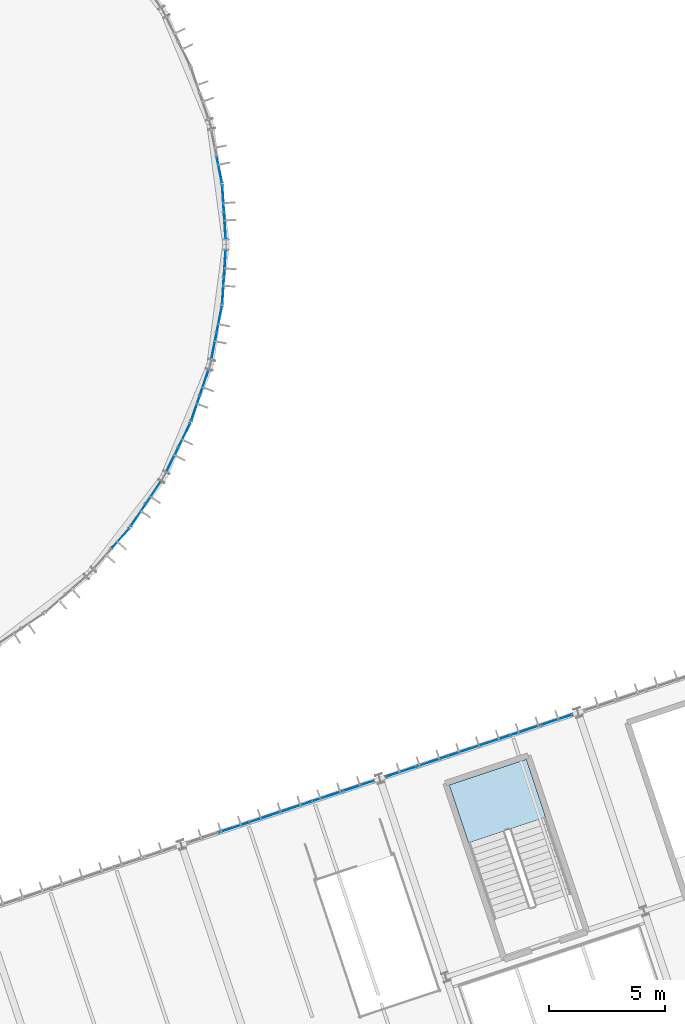
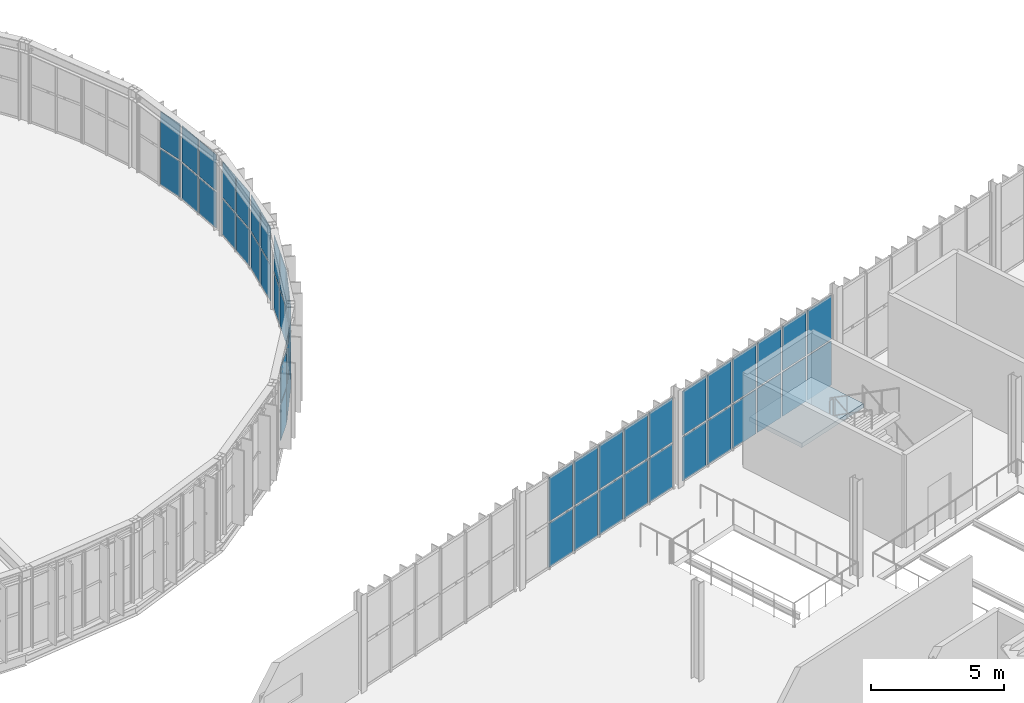
# One storey, part 108 of 152: 50 plates, 1 slab, 11 elements without a shape of their own.
"""IFC4 building model written with IfcOpenShell, lengths in metres."""

from ifc_helpers import new_model, si_unit, derived_unit, direction, frame, origin, origin_2d, place, context, subcontext, project, spatial, polyline, rectangle, outline, extrude, material, layer, layer_set, type_object, element, aggregate, save


model = new_model("IFC4")

# Units and contexts
model_context = context("Model", 3, precision=1e-05, world=origin(), true_north=direction((0.0, 1.0)))
body_context = subcontext(model_context, "Body", "Model", "MODEL_VIEW")
ifc_project = project(units=[si_unit("LENGTHUNIT", "METRE"), si_unit("AREAUNIT", "SQUARE_METRE"), si_unit("VOLUMEUNIT", "CUBIC_METRE"), si_unit("PLANEANGLEUNIT", "RADIAN"), si_unit("MASSUNIT", "GRAM", prefix="KILO"), si_unit("THERMODYNAMICTEMPERATUREUNIT", "KELVIN"), si_unit("TIMEUNIT", "SECOND"), derived_unit("THERMALTRANSMITTANCEUNIT", [(si_unit("MASSUNIT", "GRAM", prefix="KILO"), 1), (si_unit("THERMODYNAMICTEMPERATUREUNIT", "KELVIN"), -1), (si_unit("TIMEUNIT", "SECOND"), -3)])], contexts=[model_context])

# Site, building, storey
site_placement = place(None, origin())
site = spatial("IfcSite", under=ifc_project, at=site_placement, CompositionType="ELEMENT")
building_placement = place(site_placement, origin())
building = spatial("IfcBuilding", under=site, at=building_placement, Name="Cambertide Market Hall", CompositionType="ELEMENT")
storey_placement = place(building_placement, frame((0.0, 0.0, 5.39990234375)))
storey = spatial("IfcBuildingStorey", under=building, at=storey_placement, Name="L02", CompositionType="ELEMENT", Elevation=5.39990234375)

# Stair, slab
ifc_material_1 = material(Name="Concrete B35", Category="concrete")
stair_type = type_object("IfcStairType", Name="Concrete Dogleg Stair ST-06B", PredefinedType="HALF_TURN_STAIR", material=ifc_material_1)
stair_placement = place(storey_placement, origin())
stair = element("IfcStair", 1, at=stair_placement, inside=storey, type_object=stair_type, Name="Level 2 Exit Stair Core 06B", PredefinedType="HALF_TURN_STAIR")
ifc_material_2 = material(Name="Concrete B35", Category="concrete")
ifc_layer_1 = layer(ifc_material_2, 0.199951171875, Name="Concrete Stair Half-Landing 200")
ifc_layer_set_1 = layer_set([ifc_layer_1], Name="Concrete B35")
slab_type = type_object("IfcSlabType", Name="Concrete Stair Half-Landing 200", PredefinedType="LANDING", material=ifc_layer_set_1)
slab_placement = place(storey_placement, frame((0.0, 0.0, 2.050048828125)))
slab = element("IfcSlab", 2, at=slab_placement, type_object=slab_type, Name="ST-06B landing 1", PredefinedType="LANDING", context=body_context, shape_type="SweptSolid", body=[
    extrude(outline(polyline([(138.7529296875, 47.347412109375), (137.923095703125, 49.836669921875), (134.602783203125, 48.729736328125), (135.4326171875, 46.240478515625), (138.7529296875, 47.347412109375)])), origin(), (0.0, 0.0, 1.0), 0.199951171875),
])
aggregate(stair, [slab])

# Curtain wall, plates
ifc_material_3 = material(Name="Marine Anodized Aluminium 6063-T6 AA25", Category="aluminium")
curtain_wall_type_1 = type_object("IfcCurtainWallType", Name="Lantern Apse Chord Upper Curtain Wall", PredefinedType="USERDEFINED", material=ifc_material_3)
curtain_wall_1_placement = place(storey_placement, origin())
curtain_wall_1 = element("IfcCurtainWall", 3, at=curtain_wall_1_placement, inside=storey, type_object=curtain_wall_type_1, Name="Level 2 Curtain Wall CW-V1AE-L02-07", ObjectType="UNITIZED CURTAIN WALL", PredefinedType="USERDEFINED")
ifc_material_4 = material(Name="Low-E Laminated Insulated Glass", Category="glass")
ifc_layer_2 = layer(ifc_material_4, 0.028076171875, Name="Vision Insulated Glazing Panel 28")
ifc_layer_set_2 = layer_set([ifc_layer_2], Name="Low-E Laminated Insulated Glass")
plate_type = type_object("IfcPlateType", Name="Vision Insulated Glazing Panel 28", PredefinedType="CURTAIN_PANEL", material=ifc_layer_set_2)
plate_1_placement = place(storey_placement, frame((120.462158203125, 59.363037109375, 0.0400390625), z_axis=(0.0, 0.0, 1.0), x_axis=(-0.659345784014, -0.751839834741, 0.0)))
plate_1 = element("IfcPlate", 4, at=plate_1_placement, type_object=plate_type, Name="CW-V1AE-L02-07 Glazing Panel 1-1", PredefinedType="CURTAIN_PANEL", context=body_context, shape_type="SweptSolid", body=[
    extrude(rectangle(XDim=1.108154296875, YDim=0.028076171875, at=origin_2d()), origin(), (0.0, 0.0, 1.0), 1.64501953125),
])
plate_2_placement = place(storey_placement, frame((120.462158203125, 59.363037109375, 1.76513671875), z_axis=(0.0, 0.0, 1.0), x_axis=(-0.659345784014, -0.751839834741, 0.0)))
plate_2 = element("IfcPlate", 5, at=plate_2_placement, type_object=plate_type, Name="CW-V1AE-L02-07 Glazing Panel 2-1", PredefinedType="CURTAIN_PANEL", context=body_context, shape_type="SweptSolid", body=[
    extrude(rectangle(XDim=1.108154296875, YDim=0.028076171875, at=origin_2d()), origin(), (0.0, 0.0, 1.0), 1.64501953125),
])
aggregate(curtain_wall_1, [plate_1, plate_2])

curtain_wall_2_placement = place(storey_placement, origin())
curtain_wall_2 = element("IfcCurtainWall", 6, at=curtain_wall_2_placement, inside=storey, type_object=curtain_wall_type_1, Name="Level 2 Curtain Wall CW-V1AE-L02-08", ObjectType="UNITIZED CURTAIN WALL", PredefinedType="USERDEFINED")
plate_3_placement = place(storey_placement, frame((121.8681640625, 61.3232421875, 0.0400390625), z_axis=(0.0, 0.0, 1.0), x_axis=(-0.555570087582, -0.831469709481, 0.0)))
plate_3 = element("IfcPlate", 7, at=plate_3_placement, type_object=plate_type, Name="CW-V1AE-L02-08 Glazing Panel 1-1", PredefinedType="CURTAIN_PANEL", context=body_context, shape_type="SweptSolid", body=[
    extrude(rectangle(XDim=1.108154296875, YDim=0.028076171875, at=origin_2d()), origin(), (0.0, 0.0, 1.0), 1.64501953125),
])
plate_4_placement = place(storey_placement, frame((121.208251953125, 60.335205078125, 0.0400390625), z_axis=(0.0, 0.0, 1.0), x_axis=(-0.555570087582, -0.831469709481, 0.0)))
plate_4 = element("IfcPlate", 8, at=plate_4_placement, type_object=plate_type, Name="CW-V1AE-L02-08 Glazing Panel 1-2", PredefinedType="CURTAIN_PANEL", context=body_context, shape_type="SweptSolid", body=[
    extrude(rectangle(XDim=1.108154296875, YDim=0.028076171875, at=origin_2d()), origin(), (0.0, 0.0, 1.0), 1.64501953125),
])
plate_5_placement = place(storey_placement, frame((121.8681640625, 61.3232421875, 1.76513671875), z_axis=(0.0, 0.0, 1.0), x_axis=(-0.555570087582, -0.831469709481, 0.0)))
plate_5 = element("IfcPlate", 9, at=plate_5_placement, type_object=plate_type, Name="CW-V1AE-L02-08 Glazing Panel 2-1", PredefinedType="CURTAIN_PANEL", context=body_context, shape_type="SweptSolid", body=[
    extrude(rectangle(XDim=1.108154296875, YDim=0.028076171875, at=origin_2d()), origin(), (0.0, 0.0, 1.0), 1.64501953125),
])
plate_6_placement = place(storey_placement, frame((121.208251953125, 60.335205078125, 1.76513671875), z_axis=(0.0, 0.0, 1.0), x_axis=(-0.555570087582, -0.831469709481, 0.0)))
plate_6 = element("IfcPlate", 10, at=plate_6_placement, type_object=plate_type, Name="CW-V1AE-L02-08 Glazing Panel 2-2", PredefinedType="CURTAIN_PANEL", context=body_context, shape_type="SweptSolid", body=[
    extrude(rectangle(XDim=1.108154296875, YDim=0.028076171875, at=origin_2d()), origin(), (0.0, 0.0, 1.0), 1.64501953125),
])
aggregate(curtain_wall_2, [plate_3, plate_4, plate_5, plate_6])

curtain_wall_3_placement = place(storey_placement, origin())
curtain_wall_3 = element("IfcCurtainWall", 11, at=curtain_wall_3_placement, inside=storey, type_object=curtain_wall_type_1, Name="Level 2 Curtain Wall CW-V1AE-L02-09", ObjectType="UNITIZED CURTAIN WALL", PredefinedType="USERDEFINED")
plate_7_placement = place(storey_placement, frame((123.2060546875, 63.795654296875, 0.0400390625), z_axis=(0.0, 0.0, 1.0), x_axis=(-0.442288874522, -0.896872650645, 0.0)))
plate_7 = element("IfcPlate", 12, at=plate_7_placement, type_object=plate_type, Name="CW-V1AE-L02-09 Glazing Panel 1-1", PredefinedType="CURTAIN_PANEL", context=body_context, shape_type="SweptSolid", body=[
    extrude(rectangle(XDim=1.108154296875, YDim=0.028076171875, at=origin_2d()), origin(), (0.0, 0.0, 1.0), 1.64501953125),
])
plate_8_placement = place(storey_placement, frame((122.6806640625, 62.72998046875, 0.0400390625), z_axis=(0.0, 0.0, 1.0), x_axis=(-0.442288874522, -0.896872650645, 0.0)))
plate_8 = element("IfcPlate", 13, at=plate_8_placement, type_object=plate_type, Name="CW-V1AE-L02-09 Glazing Panel 1-2", PredefinedType="CURTAIN_PANEL", context=body_context, shape_type="SweptSolid", body=[
    extrude(rectangle(XDim=1.108154296875, YDim=0.028076171875, at=origin_2d()), origin(), (0.0, 0.0, 1.0), 1.64501953125),
])
plate_9_placement = place(storey_placement, frame((123.2060546875, 63.795654296875, 1.76513671875), z_axis=(0.0, 0.0, 1.0), x_axis=(-0.442288874522, -0.896872650645, 0.0)))
plate_9 = element("IfcPlate", 14, at=plate_9_placement, type_object=plate_type, Name="CW-V1AE-L02-09 Glazing Panel 2-1", PredefinedType="CURTAIN_PANEL", context=body_context, shape_type="SweptSolid", body=[
    extrude(rectangle(XDim=1.108154296875, YDim=0.028076171875, at=origin_2d()), origin(), (0.0, 0.0, 1.0), 1.64501953125),
])
plate_10_placement = place(storey_placement, frame((122.6806640625, 62.72998046875, 1.76513671875), z_axis=(0.0, 0.0, 1.0), x_axis=(-0.442288874522, -0.896872650645, 0.0)))
plate_10 = element("IfcPlate", 15, at=plate_10_placement, type_object=plate_type, Name="CW-V1AE-L02-09 Glazing Panel 2-2", PredefinedType="CURTAIN_PANEL", context=body_context, shape_type="SweptSolid", body=[
    extrude(rectangle(XDim=1.108154296875, YDim=0.028076171875, at=origin_2d()), origin(), (0.0, 0.0, 1.0), 1.64501953125),
])
aggregate(curtain_wall_3, [plate_7, plate_8, plate_9, plate_10])

curtain_wall_4_placement = place(storey_placement, origin())
curtain_wall_4 = element("IfcCurtainWall", 16, at=curtain_wall_4_placement, inside=storey, type_object=curtain_wall_type_1, Name="Level 2 Curtain Wall CW-V1AE-L02-10", ObjectType="UNITIZED CURTAIN WALL", PredefinedType="USERDEFINED")
plate_11_placement = place(storey_placement, frame((124.056884765625, 66.052734375, 0.0400390625), z_axis=(0.0, 0.0, 1.0), x_axis=(-0.32143947831, -0.94693012508, 0.0)))
plate_11 = element("IfcPlate", 17, at=plate_11_placement, type_object=plate_type, Name="CW-V1AE-L02-10 Glazing Panel 1-1", PredefinedType="CURTAIN_PANEL", context=body_context, shape_type="SweptSolid", body=[
    extrude(rectangle(XDim=1.108154296875, YDim=0.028076171875, at=origin_2d()), origin(), (0.0, 0.0, 1.0), 1.64501953125),
])
plate_12_placement = place(storey_placement, frame((123.675048828125, 64.927734375, 0.0400390625), z_axis=(0.0, 0.0, 1.0), x_axis=(-0.32143947831, -0.94693012508, 0.0)))
plate_12 = element("IfcPlate", 18, at=plate_12_placement, type_object=plate_type, Name="CW-V1AE-L02-10 Glazing Panel 1-2", PredefinedType="CURTAIN_PANEL", context=body_context, shape_type="SweptSolid", body=[
    extrude(rectangle(XDim=1.108154296875, YDim=0.028076171875, at=origin_2d()), origin(), (0.0, 0.0, 1.0), 1.64501953125),
])
plate_13_placement = place(storey_placement, frame((124.056884765625, 66.052734375, 1.76513671875), z_axis=(0.0, 0.0, 1.0), x_axis=(-0.32143947831, -0.94693012508, 0.0)))
plate_13 = element("IfcPlate", 19, at=plate_13_placement, type_object=plate_type, Name="CW-V1AE-L02-10 Glazing Panel 2-1", PredefinedType="CURTAIN_PANEL", context=body_context, shape_type="SweptSolid", body=[
    extrude(rectangle(XDim=1.108154296875, YDim=0.028076171875, at=origin_2d()), origin(), (0.0, 0.0, 1.0), 1.64501953125),
])
plate_14_placement = place(storey_placement, frame((123.675048828125, 64.927734375, 1.76513671875), z_axis=(0.0, 0.0, 1.0), x_axis=(-0.32143947831, -0.94693012508, 0.0)))
plate_14 = element("IfcPlate", 20, at=plate_14_placement, type_object=plate_type, Name="CW-V1AE-L02-10 Glazing Panel 2-2", PredefinedType="CURTAIN_PANEL", context=body_context, shape_type="SweptSolid", body=[
    extrude(rectangle(XDim=1.108154296875, YDim=0.028076171875, at=origin_2d()), origin(), (0.0, 0.0, 1.0), 1.64501953125),
])
aggregate(curtain_wall_4, [plate_11, plate_12, plate_13, plate_14])

curtain_wall_5_placement = place(storey_placement, origin())
curtain_wall_5 = element("IfcCurtainWall", 21, at=curtain_wall_5_placement, inside=storey, type_object=curtain_wall_type_1, Name="Level 2 Curtain Wall CW-V1AE-L02-11", ObjectType="UNITIZED CURTAIN WALL", PredefinedType="USERDEFINED")
plate_15_placement = place(storey_placement, frame((124.708984375, 68.787353515625, 0.0400390625), z_axis=(0.0, 0.0, 1.0), x_axis=(-0.195090068226, -0.980785330885, 0.0)))
plate_15 = element("IfcPlate", 22, at=plate_15_placement, type_object=plate_type, Name="CW-V1AE-L02-11 Glazing Panel 1-1", PredefinedType="CURTAIN_PANEL", context=body_context, shape_type="SweptSolid", body=[
    extrude(rectangle(XDim=1.108154296875, YDim=0.028076171875, at=origin_2d()), origin(), (0.0, 0.0, 1.0), 1.64501953125),
])
plate_16_placement = place(storey_placement, frame((124.477294921875, 67.6220703125, 0.0400390625), z_axis=(0.0, 0.0, 1.0), x_axis=(-0.195090068226, -0.980785330885, 0.0)))
plate_16 = element("IfcPlate", 23, at=plate_16_placement, type_object=plate_type, Name="CW-V1AE-L02-11 Glazing Panel 1-2", PredefinedType="CURTAIN_PANEL", context=body_context, shape_type="SweptSolid", body=[
    extrude(rectangle(XDim=1.108154296875, YDim=0.028076171875, at=origin_2d()), origin(), (0.0, 0.0, 1.0), 1.64501953125),
])
plate_17_placement = place(storey_placement, frame((124.708984375, 68.787353515625, 1.76513671875), z_axis=(0.0, 0.0, 1.0), x_axis=(-0.195090068226, -0.980785330885, 0.0)))
plate_17 = element("IfcPlate", 24, at=plate_17_placement, type_object=plate_type, Name="CW-V1AE-L02-11 Glazing Panel 2-1", PredefinedType="CURTAIN_PANEL", context=body_context, shape_type="SweptSolid", body=[
    extrude(rectangle(XDim=1.108154296875, YDim=0.028076171875, at=origin_2d()), origin(), (0.0, 0.0, 1.0), 1.64501953125),
])
plate_18_placement = place(storey_placement, frame((124.477294921875, 67.6220703125, 1.76513671875), z_axis=(0.0, 0.0, 1.0), x_axis=(-0.195090068226, -0.980785330885, 0.0)))
plate_18 = element("IfcPlate", 25, at=plate_18_placement, type_object=plate_type, Name="CW-V1AE-L02-11 Glazing Panel 2-2", PredefinedType="CURTAIN_PANEL", context=body_context, shape_type="SweptSolid", body=[
    extrude(rectangle(XDim=1.108154296875, YDim=0.028076171875, at=origin_2d()), origin(), (0.0, 0.0, 1.0), 1.64501953125),
])
aggregate(curtain_wall_5, [plate_15, plate_16, plate_17, plate_18])

curtain_wall_6_placement = place(storey_placement, origin())
curtain_wall_6 = element("IfcCurtainWall", 26, at=curtain_wall_6_placement, inside=storey, type_object=curtain_wall_type_1, Name="Level 2 Curtain Wall CW-V1AE-L02-12", ObjectType="UNITIZED CURTAIN WALL", PredefinedType="USERDEFINED")
plate_19_placement = place(storey_placement, frame((124.94677734375, 71.187744140625, 0.0400390625), z_axis=(0.0, 0.0, 1.0), x_axis=(-0.065403211921, -0.997858917819, 0.0)))
plate_19 = element("IfcPlate", 27, at=plate_19_placement, type_object=plate_type, Name="CW-V1AE-L02-12 Glazing Panel 1-1", PredefinedType="CURTAIN_PANEL", context=body_context, shape_type="SweptSolid", body=[
    extrude(rectangle(XDim=1.108154296875, YDim=0.028076171875, at=origin_2d()), origin(), (0.0, 0.0, 1.0), 1.64501953125),
])
plate_20_placement = place(storey_placement, frame((124.869140625, 70.002197265625, 0.0400390625), z_axis=(0.0, 0.0, 1.0), x_axis=(-0.065403211921, -0.997858917819, 0.0)))
plate_20 = element("IfcPlate", 28, at=plate_20_placement, type_object=plate_type, Name="CW-V1AE-L02-12 Glazing Panel 1-2", PredefinedType="CURTAIN_PANEL", context=body_context, shape_type="SweptSolid", body=[
    extrude(rectangle(XDim=1.108154296875, YDim=0.028076171875, at=origin_2d()), origin(), (0.0, 0.0, 1.0), 1.64501953125),
])
plate_21_placement = place(storey_placement, frame((124.94677734375, 71.187744140625, 1.76513671875), z_axis=(0.0, 0.0, 1.0), x_axis=(-0.065403211921, -0.997858917819, 0.0)))
plate_21 = element("IfcPlate", 29, at=plate_21_placement, type_object=plate_type, Name="CW-V1AE-L02-12 Glazing Panel 2-1", PredefinedType="CURTAIN_PANEL", context=body_context, shape_type="SweptSolid", body=[
    extrude(rectangle(XDim=1.108154296875, YDim=0.028076171875, at=origin_2d()), origin(), (0.0, 0.0, 1.0), 1.64501953125),
])
plate_22_placement = place(storey_placement, frame((124.869140625, 70.002197265625, 1.76513671875), z_axis=(0.0, 0.0, 1.0), x_axis=(-0.065403211921, -0.997858917819, 0.0)))
plate_22 = element("IfcPlate", 30, at=plate_22_placement, type_object=plate_type, Name="CW-V1AE-L02-12 Glazing Panel 2-2", PredefinedType="CURTAIN_PANEL", context=body_context, shape_type="SweptSolid", body=[
    extrude(rectangle(XDim=1.108154296875, YDim=0.028076171875, at=origin_2d()), origin(), (0.0, 0.0, 1.0), 1.64501953125),
])
aggregate(curtain_wall_6, [plate_19, plate_20, plate_21, plate_22])

curtain_wall_7_placement = place(storey_placement, origin())
curtain_wall_7 = element("IfcCurtainWall", 31, at=curtain_wall_7_placement, inside=storey, type_object=curtain_wall_type_1, Name="Level 2 Curtain Wall CW-V1AE-L02-13", ObjectType="UNITIZED CURTAIN WALL", PredefinedType="USERDEFINED")
plate_23_placement = place(storey_placement, frame((124.869140625, 73.997802734375, 0.0400390625), z_axis=(0.0, 0.0, 1.0), x_axis=(0.065403211921, -0.997858917819, 0.0)))
plate_23 = element("IfcPlate", 32, at=plate_23_placement, type_object=plate_type, Name="CW-V1AE-L02-13 Glazing Panel 1-1", PredefinedType="CURTAIN_PANEL", context=body_context, shape_type="SweptSolid", body=[
    extrude(rectangle(XDim=1.108154296875, YDim=0.028076171875, at=origin_2d()), origin(), (0.0, 0.0, 1.0), 1.64501953125),
])
plate_24_placement = place(storey_placement, frame((124.94677734375, 72.812255859375, 0.0400390625), z_axis=(0.0, 0.0, 1.0), x_axis=(0.065403211921, -0.997858917819, 0.0)))
plate_24 = element("IfcPlate", 33, at=plate_24_placement, type_object=plate_type, Name="CW-V1AE-L02-13 Glazing Panel 1-2", PredefinedType="CURTAIN_PANEL", context=body_context, shape_type="SweptSolid", body=[
    extrude(rectangle(XDim=1.108154296875, YDim=0.028076171875, at=origin_2d()), origin(), (0.0, 0.0, 1.0), 1.64501953125),
])
plate_25_placement = place(storey_placement, frame((124.869140625, 73.997802734375, 1.76513671875), z_axis=(0.0, 0.0, 1.0), x_axis=(0.065403211921, -0.997858917819, 0.0)))
plate_25 = element("IfcPlate", 34, at=plate_25_placement, type_object=plate_type, Name="CW-V1AE-L02-13 Glazing Panel 2-1", PredefinedType="CURTAIN_PANEL", context=body_context, shape_type="SweptSolid", body=[
    extrude(rectangle(XDim=1.108154296875, YDim=0.028076171875, at=origin_2d()), origin(), (0.0, 0.0, 1.0), 1.64501953125),
])
plate_26_placement = place(storey_placement, frame((124.94677734375, 72.812255859375, 1.76513671875), z_axis=(0.0, 0.0, 1.0), x_axis=(0.065403211921, -0.997858917819, 0.0)))
plate_26 = element("IfcPlate", 35, at=plate_26_placement, type_object=plate_type, Name="CW-V1AE-L02-13 Glazing Panel 2-2", PredefinedType="CURTAIN_PANEL", context=body_context, shape_type="SweptSolid", body=[
    extrude(rectangle(XDim=1.108154296875, YDim=0.028076171875, at=origin_2d()), origin(), (0.0, 0.0, 1.0), 1.64501953125),
])
aggregate(curtain_wall_7, [plate_23, plate_24, plate_25, plate_26])

curtain_wall_8_placement = place(storey_placement, origin())
curtain_wall_8 = element("IfcCurtainWall", 36, at=curtain_wall_8_placement, inside=storey, type_object=curtain_wall_type_1, Name="Level 2 Curtain Wall CW-V1AE-L02-14", ObjectType="UNITIZED CURTAIN WALL", PredefinedType="USERDEFINED")
plate_27_placement = place(storey_placement, frame((124.708984375, 75.212646484375, 0.0400390625), z_axis=(0.0, 0.0, 1.0), x_axis=(0.195090068226, -0.980785330885, 0.0)))
plate_27 = element("IfcPlate", 37, at=plate_27_placement, type_object=plate_type, Name="CW-V1AE-L02-14 Glazing Panel 1-2", PredefinedType="CURTAIN_PANEL", context=body_context, shape_type="SweptSolid", body=[
    extrude(rectangle(XDim=1.108154296875, YDim=0.028076171875, at=origin_2d()), origin(), (0.0, 0.0, 1.0), 1.64501953125),
])
plate_28_placement = place(storey_placement, frame((124.708984375, 75.212646484375, 1.76513671875), z_axis=(0.0, 0.0, 1.0), x_axis=(0.195090068226, -0.980785330885, 0.0)))
plate_28 = element("IfcPlate", 38, at=plate_28_placement, type_object=plate_type, Name="CW-V1AE-L02-14 Glazing Panel 2-2", PredefinedType="CURTAIN_PANEL", context=body_context, shape_type="SweptSolid", body=[
    extrude(rectangle(XDim=1.108154296875, YDim=0.028076171875, at=origin_2d()), origin(), (0.0, 0.0, 1.0), 1.64501953125),
])
aggregate(curtain_wall_8, [plate_27, plate_28])

ifc_material_5 = material(Name="Marine Anodized Aluminium 6063-T6 AA25", Category="aluminium")
curtain_wall_type_2 = type_object("IfcCurtainWallType", Name="Food Court Upper Glazed Facade", PredefinedType="USERDEFINED", material=ifc_material_5)
curtain_wall_9_placement = place(storey_placement, origin())
curtain_wall_9 = element("IfcCurtainWall", 39, at=curtain_wall_9_placement, inside=storey, type_object=curtain_wall_type_2, Name="Level 2 Curtain Wall CW-V3N-L02-4", ObjectType="UNITIZED CURTAIN WALL", PredefinedType="USERDEFINED")
plate_29_placement = place(storey_placement, frame((125.32470703125, 46.902099609375, 0.0400390625), z_axis=(0.0, 0.0, 1.0), x_axis=(0.948683286311, 0.316227801236, 0.0)))
plate_29 = element("IfcPlate", 40, at=plate_29_placement, type_object=plate_type, Name="CW-V3N-L02-4 Glazing Panel 1-2", PredefinedType="CURTAIN_PANEL", context=body_context, shape_type="SweptSolid", body=[
    extrude(rectangle(XDim=1.340087890625, YDim=0.028076171875, at=origin_2d()), origin(), (0.0, 0.0, 1.0), 2.02001953125),
])
plate_30_placement = place(storey_placement, frame((126.671875, 47.35107421875, 0.0400390625), z_axis=(0.0, 0.0, 1.0), x_axis=(0.948683286311, 0.316227801236, 0.0)))
plate_30 = element("IfcPlate", 41, at=plate_30_placement, type_object=plate_type, Name="CW-V3N-L02-4 Glazing Panel 1-3", PredefinedType="CURTAIN_PANEL", context=body_context, shape_type="SweptSolid", body=[
    extrude(rectangle(XDim=1.340087890625, YDim=0.028076171875, at=origin_2d()), origin(), (0.0, 0.0, 1.0), 2.02001953125),
])
plate_31_placement = place(storey_placement, frame((128.01904296875, 47.800048828125, 0.0400390625), z_axis=(0.0, 0.0, 1.0), x_axis=(0.948683286311, 0.316227801236, 0.0)))
plate_31 = element("IfcPlate", 42, at=plate_31_placement, type_object=plate_type, Name="CW-V3N-L02-4 Glazing Panel 1-4", PredefinedType="CURTAIN_PANEL", context=body_context, shape_type="SweptSolid", body=[
    extrude(rectangle(XDim=1.340087890625, YDim=0.028076171875, at=origin_2d()), origin(), (0.0, 0.0, 1.0), 2.02001953125),
])
plate_32_placement = place(storey_placement, frame((129.365966796875, 48.249267578125, 0.0400390625), z_axis=(0.0, 0.0, 1.0), x_axis=(0.948683286311, 0.316227801236, 0.0)))
plate_32 = element("IfcPlate", 43, at=plate_32_placement, type_object=plate_type, Name="CW-V3N-L02-4 Glazing Panel 1-5", PredefinedType="CURTAIN_PANEL", context=body_context, shape_type="SweptSolid", body=[
    extrude(rectangle(XDim=1.340087890625, YDim=0.028076171875, at=origin_2d()), origin(), (0.0, 0.0, 1.0), 2.02001953125),
])
plate_33_placement = place(storey_placement, frame((130.713134765625, 48.6982421875, 0.0400390625), z_axis=(0.0, 0.0, 1.0), x_axis=(0.948683286311, 0.316227801236, 0.0)))
plate_33 = element("IfcPlate", 44, at=plate_33_placement, type_object=plate_type, Name="CW-V3N-L02-4 Glazing Panel 1-6", PredefinedType="CURTAIN_PANEL", context=body_context, shape_type="SweptSolid", body=[
    extrude(rectangle(XDim=1.340087890625, YDim=0.028076171875, at=origin_2d()), origin(), (0.0, 0.0, 1.0), 2.02001953125),
])
plate_34_placement = place(storey_placement, frame((125.32470703125, 46.902099609375, 2.14013671875), z_axis=(0.0, 0.0, 1.0), x_axis=(0.948683286311, 0.316227801236, 0.0)))
plate_34 = element("IfcPlate", 45, at=plate_34_placement, type_object=plate_type, Name="CW-V3N-L02-4 Glazing Panel 2-2", PredefinedType="CURTAIN_PANEL", context=body_context, shape_type="SweptSolid", body=[
    extrude(rectangle(XDim=1.340087890625, YDim=0.028076171875, at=origin_2d()), origin(), (0.0, 0.0, 1.0), 2.02001953125),
])
plate_35_placement = place(storey_placement, frame((126.671875, 47.35107421875, 2.14013671875), z_axis=(0.0, 0.0, 1.0), x_axis=(0.948683286311, 0.316227801236, 0.0)))
plate_35 = element("IfcPlate", 46, at=plate_35_placement, type_object=plate_type, Name="CW-V3N-L02-4 Glazing Panel 2-3", PredefinedType="CURTAIN_PANEL", context=body_context, shape_type="SweptSolid", body=[
    extrude(rectangle(XDim=1.340087890625, YDim=0.028076171875, at=origin_2d()), origin(), (0.0, 0.0, 1.0), 2.02001953125),
])
plate_36_placement = place(storey_placement, frame((128.01904296875, 47.800048828125, 2.14013671875), z_axis=(0.0, 0.0, 1.0), x_axis=(0.948683286311, 0.316227801236, 0.0)))
plate_36 = element("IfcPlate", 47, at=plate_36_placement, type_object=plate_type, Name="CW-V3N-L02-4 Glazing Panel 2-4", PredefinedType="CURTAIN_PANEL", context=body_context, shape_type="SweptSolid", body=[
    extrude(rectangle(XDim=1.340087890625, YDim=0.028076171875, at=origin_2d()), origin(), (0.0, 0.0, 1.0), 2.02001953125),
])
plate_37_placement = place(storey_placement, frame((129.365966796875, 48.249267578125, 2.14013671875), z_axis=(0.0, 0.0, 1.0), x_axis=(0.948683286311, 0.316227801236, 0.0)))
plate_37 = element("IfcPlate", 48, at=plate_37_placement, type_object=plate_type, Name="CW-V3N-L02-4 Glazing Panel 2-5", PredefinedType="CURTAIN_PANEL", context=body_context, shape_type="SweptSolid", body=[
    extrude(rectangle(XDim=1.340087890625, YDim=0.028076171875, at=origin_2d()), origin(), (0.0, 0.0, 1.0), 2.02001953125),
])
plate_38_placement = place(storey_placement, frame((130.713134765625, 48.6982421875, 2.14013671875), z_axis=(0.0, 0.0, 1.0), x_axis=(0.948683286311, 0.316227801236, 0.0)))
plate_38 = element("IfcPlate", 49, at=plate_38_placement, type_object=plate_type, Name="CW-V3N-L02-4 Glazing Panel 2-6", PredefinedType="CURTAIN_PANEL", context=body_context, shape_type="SweptSolid", body=[
    extrude(rectangle(XDim=1.340087890625, YDim=0.028076171875, at=origin_2d()), origin(), (0.0, 0.0, 1.0), 2.02001953125),
])
aggregate(curtain_wall_9, [plate_29, plate_30, plate_31, plate_32, plate_33, plate_34, plate_35, plate_36, plate_37, plate_38])

curtain_wall_10_placement = place(storey_placement, origin())
curtain_wall_10 = element("IfcCurtainWall", 50, at=curtain_wall_10_placement, inside=storey, type_object=curtain_wall_type_2, Name="Level 2 Curtain Wall CW-V3N-L02-5", ObjectType="UNITIZED CURTAIN WALL", PredefinedType="USERDEFINED")
plate_39_placement = place(storey_placement, frame((132.515625, 49.299072265625, 0.0400390625), z_axis=(0.0, 0.0, 1.0), x_axis=(0.948683286311, 0.316227801236, 0.0)))
plate_39 = element("IfcPlate", 51, at=plate_39_placement, type_object=plate_type, Name="CW-V3N-L02-5 Glazing Panel 1-1", PredefinedType="CURTAIN_PANEL", context=body_context, shape_type="SweptSolid", body=[
    extrude(rectangle(XDim=1.340087890625, YDim=0.028076171875, at=origin_2d()), origin(), (0.0, 0.0, 1.0), 2.02001953125),
])
plate_40_placement = place(storey_placement, frame((133.86279296875, 49.748046875, 0.0400390625), z_axis=(0.0, 0.0, 1.0), x_axis=(0.948683286311, 0.316227801236, 0.0)))
plate_40 = element("IfcPlate", 52, at=plate_40_placement, type_object=plate_type, Name="CW-V3N-L02-5 Glazing Panel 1-2", PredefinedType="CURTAIN_PANEL", context=body_context, shape_type="SweptSolid", body=[
    extrude(rectangle(XDim=1.340087890625, YDim=0.028076171875, at=origin_2d()), origin(), (0.0, 0.0, 1.0), 2.02001953125),
])
plate_41_placement = place(storey_placement, frame((135.2099609375, 50.197265625, 0.0400390625), z_axis=(0.0, 0.0, 1.0), x_axis=(0.948683286311, 0.316227801236, 0.0)))
plate_41 = element("IfcPlate", 53, at=plate_41_placement, type_object=plate_type, Name="CW-V3N-L02-5 Glazing Panel 1-3", PredefinedType="CURTAIN_PANEL", context=body_context, shape_type="SweptSolid", body=[
    extrude(rectangle(XDim=1.340087890625, YDim=0.028076171875, at=origin_2d()), origin(), (0.0, 0.0, 1.0), 2.02001953125),
])
plate_42_placement = place(storey_placement, frame((136.55712890625, 50.646240234375, 0.0400390625), z_axis=(0.0, 0.0, 1.0), x_axis=(0.948683286311, 0.316227801236, 0.0)))
plate_42 = element("IfcPlate", 54, at=plate_42_placement, type_object=plate_type, Name="CW-V3N-L02-5 Glazing Panel 1-4", PredefinedType="CURTAIN_PANEL", context=body_context, shape_type="SweptSolid", body=[
    extrude(rectangle(XDim=1.340087890625, YDim=0.028076171875, at=origin_2d()), origin(), (0.0, 0.0, 1.0), 2.02001953125),
])
plate_43_placement = place(storey_placement, frame((137.904296875, 51.09521484375, 0.0400390625), z_axis=(0.0, 0.0, 1.0), x_axis=(0.948683286311, 0.316227801236, 0.0)))
plate_43 = element("IfcPlate", 55, at=plate_43_placement, type_object=plate_type, Name="CW-V3N-L02-5 Glazing Panel 1-5", PredefinedType="CURTAIN_PANEL", context=body_context, shape_type="SweptSolid", body=[
    extrude(rectangle(XDim=1.340087890625, YDim=0.028076171875, at=origin_2d()), origin(), (0.0, 0.0, 1.0), 2.02001953125),
])
plate_44_placement = place(storey_placement, frame((139.25146484375, 51.544189453125, 0.0400390625), z_axis=(0.0, 0.0, 1.0), x_axis=(0.948683286311, 0.316227801236, 0.0)))
plate_44 = element("IfcPlate", 56, at=plate_44_placement, type_object=plate_type, Name="CW-V3N-L02-5 Glazing Panel 1-6", PredefinedType="CURTAIN_PANEL", context=body_context, shape_type="SweptSolid", body=[
    extrude(rectangle(XDim=1.340087890625, YDim=0.028076171875, at=origin_2d()), origin(), (0.0, 0.0, 1.0), 2.02001953125),
])
plate_45_placement = place(storey_placement, frame((132.515625, 49.299072265625, 2.14013671875), z_axis=(0.0, 0.0, 1.0), x_axis=(0.948683286311, 0.316227801236, 0.0)))
plate_45 = element("IfcPlate", 57, at=plate_45_placement, type_object=plate_type, Name="CW-V3N-L02-5 Glazing Panel 2-1", PredefinedType="CURTAIN_PANEL", context=body_context, shape_type="SweptSolid", body=[
    extrude(rectangle(XDim=1.340087890625, YDim=0.028076171875, at=origin_2d()), origin(), (0.0, 0.0, 1.0), 2.02001953125),
])
plate_46_placement = place(storey_placement, frame((133.86279296875, 49.748046875, 2.14013671875), z_axis=(0.0, 0.0, 1.0), x_axis=(0.948683286311, 0.316227801236, 0.0)))
plate_46 = element("IfcPlate", 58, at=plate_46_placement, type_object=plate_type, Name="CW-V3N-L02-5 Glazing Panel 2-2", PredefinedType="CURTAIN_PANEL", context=body_context, shape_type="SweptSolid", body=[
    extrude(rectangle(XDim=1.340087890625, YDim=0.028076171875, at=origin_2d()), origin(), (0.0, 0.0, 1.0), 2.02001953125),
])
plate_47_placement = place(storey_placement, frame((135.2099609375, 50.197265625, 2.14013671875), z_axis=(0.0, 0.0, 1.0), x_axis=(0.948683286311, 0.316227801236, 0.0)))
plate_47 = element("IfcPlate", 59, at=plate_47_placement, type_object=plate_type, Name="CW-V3N-L02-5 Glazing Panel 2-3", PredefinedType="CURTAIN_PANEL", context=body_context, shape_type="SweptSolid", body=[
    extrude(rectangle(XDim=1.340087890625, YDim=0.028076171875, at=origin_2d()), origin(), (0.0, 0.0, 1.0), 2.02001953125),
])
plate_48_placement = place(storey_placement, frame((136.55712890625, 50.646240234375, 2.14013671875), z_axis=(0.0, 0.0, 1.0), x_axis=(0.948683286311, 0.316227801236, 0.0)))
plate_48 = element("IfcPlate", 60, at=plate_48_placement, type_object=plate_type, Name="CW-V3N-L02-5 Glazing Panel 2-4", PredefinedType="CURTAIN_PANEL", context=body_context, shape_type="SweptSolid", body=[
    extrude(rectangle(XDim=1.340087890625, YDim=0.028076171875, at=origin_2d()), origin(), (0.0, 0.0, 1.0), 2.02001953125),
])
plate_49_placement = place(storey_placement, frame((137.904296875, 51.09521484375, 2.14013671875), z_axis=(0.0, 0.0, 1.0), x_axis=(0.948683286311, 0.316227801236, 0.0)))
plate_49 = element("IfcPlate", 61, at=plate_49_placement, type_object=plate_type, Name="CW-V3N-L02-5 Glazing Panel 2-5", PredefinedType="CURTAIN_PANEL", context=body_context, shape_type="SweptSolid", body=[
    extrude(rectangle(XDim=1.340087890625, YDim=0.028076171875, at=origin_2d()), origin(), (0.0, 0.0, 1.0), 2.02001953125),
])
plate_50_placement = place(storey_placement, frame((139.25146484375, 51.544189453125, 2.14013671875), z_axis=(0.0, 0.0, 1.0), x_axis=(0.948683286311, 0.316227801236, 0.0)))
plate_50 = element("IfcPlate", 62, at=plate_50_placement, type_object=plate_type, Name="CW-V3N-L02-5 Glazing Panel 2-6", PredefinedType="CURTAIN_PANEL", context=body_context, shape_type="SweptSolid", body=[
    extrude(rectangle(XDim=1.340087890625, YDim=0.028076171875, at=origin_2d()), origin(), (0.0, 0.0, 1.0), 2.02001953125),
])
aggregate(curtain_wall_10, [plate_39, plate_40, plate_41, plate_42, plate_43, plate_44, plate_45, plate_46, plate_47, plate_48, plate_49, plate_50])

save(model, "model.ifc")
